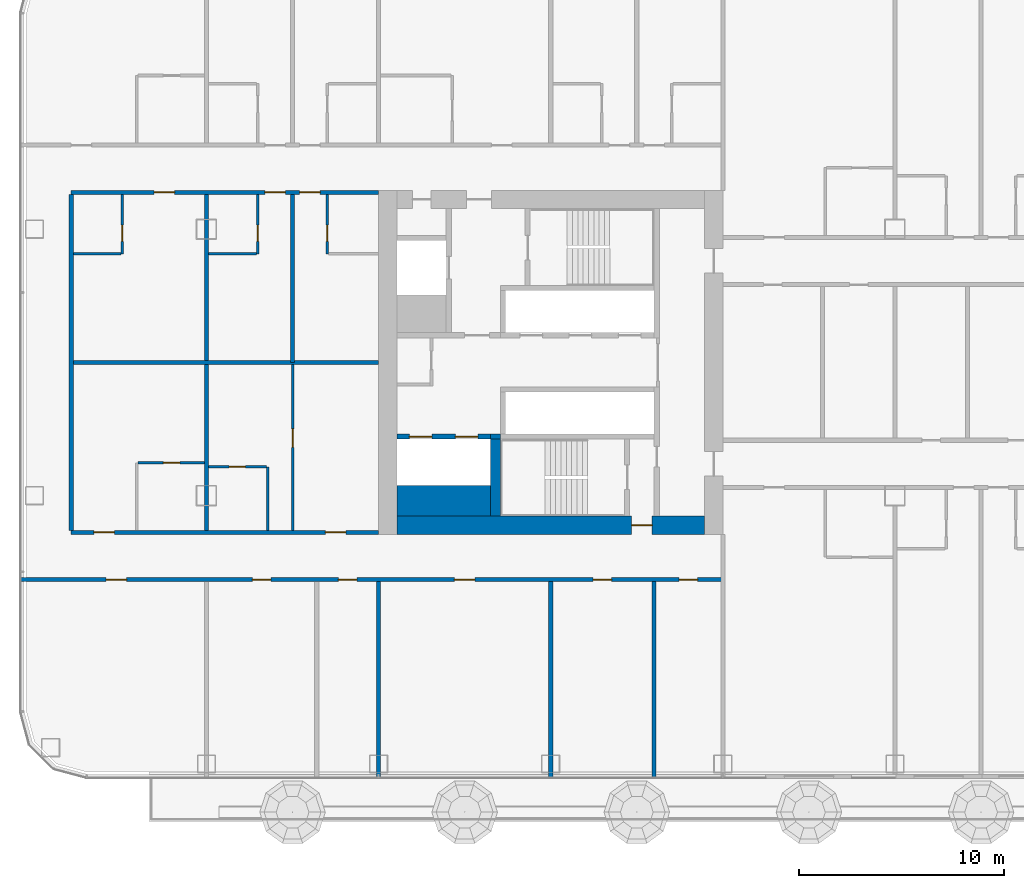
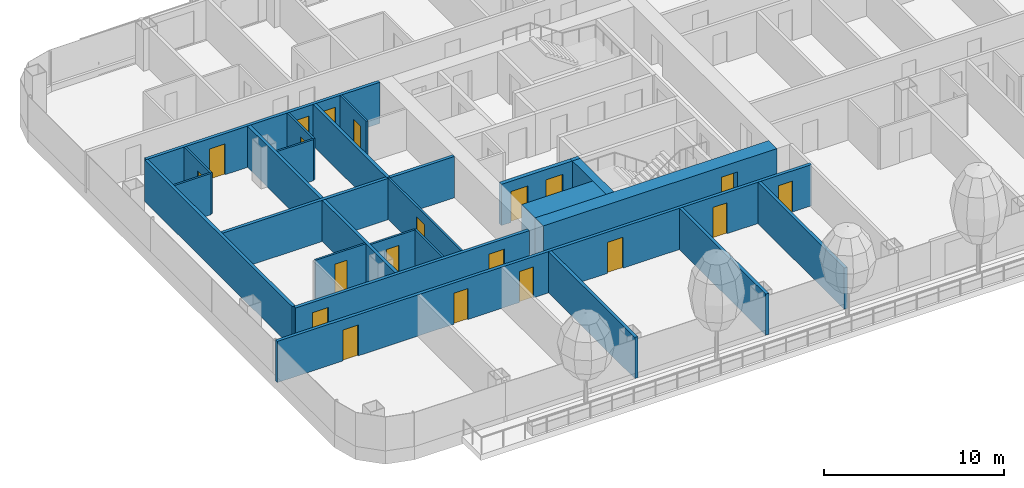
# One storey, part 12 of 36: 24 walls, 20 doors, 20 openings.
"""IFC4 building model written with IfcOpenShell, lengths in metres."""

import ifcopenshell
import ifcopenshell.guid

model = None  # the IFC model being written
_history = None  # IfcOwnerHistory: only IFC2X3 demands one
_inside = {}  # id of a spatial element -> (the spatial element, [elements in it])
_under = {}  # id of a project, library or spatial element -> (it, [spatial elements below it])
_declared = {}  # id of a project -> (the project, [libraries it declares])
_typed = {}  # id of a type object -> (the type object, [elements of that type])
_made_of = {}  # id of a material, layer set ... -> (it, [elements and type objects made of it])


def new_model(schema):
    """Start an empty IFC model of exactly this schema.

    Asked for "IFC4X3", IfcOpenShell would pick the latest addendum, in which some entities
    have other attributes; the version numbers below select the first issue.
    IFC2X3 requires an IfcOwnerHistory on every rooted entity: one is made here for all.
    """
    global model, _history
    if schema == "IFC4X3":
        model = ifcopenshell.file(schema_version=(4, 3, 0, 0))
    else:
        model = ifcopenshell.file(schema=schema)
    _inside.clear()
    _under.clear()
    _declared.clear()
    _typed.clear()
    _made_of.clear()
    _history = None
    if model.schema == "IFC2X3":
        org = make("IfcOrganization", Name="unknown")
        user = make(
            "IfcPersonAndOrganization",
            ThePerson=make("IfcPerson", FamilyName="unknown"),
            TheOrganization=org,
        )
        app = make(
            "IfcApplication",
            ApplicationDeveloper=org,
            Version="unknown",
            ApplicationFullName="unknown",
            ApplicationIdentifier="unknown",
        )
        _history = make(
            "IfcOwnerHistory",
            OwningUser=user,
            OwningApplication=app,
            ChangeAction="ADDED",
            CreationDate=0,
        )
    return model


def make(cls, **values):
    """One entity of the class cls with the attributes given. An attribute that is None is left unset."""
    return model.create_entity(
        cls, **{name: value for name, value in values.items() if value is not None}
    )


def rooted(cls, **values):
    """An entity with a GlobalId (a new one), such as an element, a storey or a relation."""
    return make(cls, GlobalId=ifcopenshell.guid.new(), OwnerHistory=_history, **values)


def si_unit(unit_type, name, prefix=None):
    """IfcSIUnit, for example si_unit("LENGTHUNIT", "METRE", prefix="MILLI")."""
    return make("IfcSIUnit", UnitType=unit_type, Prefix=prefix, Name=name)


def assignment(units):
    """IfcUnitAssignment: the units of a project."""
    return None if units is None else make("IfcUnitAssignment", Units=units)


def point(xyz):
    """IfcCartesianPoint."""
    return None if xyz is None else make("IfcCartesianPoint", Coordinates=xyz)


def direction(xyz):
    """IfcDirection."""
    return None if xyz is None else make("IfcDirection", DirectionRatios=xyz)


def frame(location, z_axis=None, x_axis=None):
    """IfcAxis2Placement3D, a coordinate frame: its origin and axes. An axis left out is left unset."""
    return make(
        "IfcAxis2Placement3D",
        Location=point(location),
        Axis=direction(z_axis),
        RefDirection=direction(x_axis),
    )


def frame_2d(location, x_axis=None):
    """IfcAxis2Placement2D, a coordinate frame in the plane: its origin and x axis."""
    return make(
        "IfcAxis2Placement2D", Location=point(location), RefDirection=direction(x_axis)
    )


def origin():
    """The frame at (0, 0, 0) with its axes left unset."""
    return frame((0.0, 0.0, 0.0))


def place(relative_to, where):
    """IfcLocalPlacement: puts the frame where relative to a parent placement (None: the world)."""
    return make(
        "IfcLocalPlacement", PlacementRelTo=relative_to, RelativePlacement=where
    )


def context(
    kind, dimensions, precision=None, world=None, true_north=None, identifier=None
):
    """IfcGeometricRepresentationContext, for example the 3D "Model" context."""
    return make(
        "IfcGeometricRepresentationContext",
        ContextIdentifier=identifier,
        ContextType=kind,
        CoordinateSpaceDimension=dimensions,
        Precision=precision,
        WorldCoordinateSystem=world,
        TrueNorth=true_north,
    )


def subcontext(parent, identifier, kind, view, scale=None):
    """IfcGeometricRepresentationSubContext, for example "Body" below "Model"."""
    return make(
        "IfcGeometricRepresentationSubContext",
        ContextIdentifier=identifier,
        ContextType=kind,
        ParentContext=parent,
        TargetScale=scale,
        TargetView=view,
    )


def project(units=None, contexts=None):
    """IfcProject with its units and contexts."""
    return rooted(
        "IfcProject",
        Name="project",
        RepresentationContexts=contexts,
        UnitsInContext=assignment(units),
    )


def spatial(cls, under=None, at=None, **own):
    """A site, building, storey or space (cls), placed at a placement, below another one or the project."""
    s = rooted(cls, ObjectPlacement=at, **own)
    if under is not None:
        _under.setdefault(under.id(), (under, []))[1].append(s)
    return s


def profile(cls, at=None, kind="AREA", **sizes):
    """A parametric profile (cls). Its sizes go by their IFC names, for example OverallWidth=200.0."""
    return make(cls, ProfileType=kind, Position=at, **sizes)


def rectangle(**sizes):
    """IfcRectangleProfileDef."""
    return profile("IfcRectangleProfileDef", **sizes)


def extrude(swept, where, along, depth):
    """IfcExtrudedAreaSolid: the profile swept, set in the frame where, extruded along a direction by depth."""
    return make(
        "IfcExtrudedAreaSolid",
        SweptArea=swept,
        Position=where,
        ExtrudedDirection=direction(along),
        Depth=depth,
    )


def shape(context_of_items, identifier, shape_type, items):
    """IfcShapeRepresentation: the items that make up one representation, for example the "Body"."""
    return make(
        "IfcShapeRepresentation",
        ContextOfItems=context_of_items,
        RepresentationIdentifier=identifier,
        RepresentationType=shape_type,
        Items=items,
    )


def material(Name=None, Category=None):
    """IfcMaterial."""
    return make("IfcMaterial", Name=Name, Category=Category)


def layer(
    of_material, thickness, ventilated=None, Name=None, Category=None, Priority=None
):
    """IfcMaterialLayer: one layer of a wall or slab, of a material (None: an air gap)."""
    return make(
        "IfcMaterialLayer",
        Material=of_material,
        LayerThickness=thickness,
        IsVentilated=ventilated,
        Name=Name,
        Category=Category,
        Priority=Priority,
    )


def layer_set(layers, Name=None):
    """IfcMaterialLayerSet."""
    return make("IfcMaterialLayerSet", MaterialLayers=layers, LayerSetName=Name)


def made_of(thing, what):
    """Note that an element or type object is made of a material, layer set ...; save() writes the relation."""
    if what is not None:
        _made_of.setdefault(what.id(), (what, []))[1].append(thing)
    return thing


def type_object(cls, material=None, **own):
    """A type object (cls), such as IfcWallType, which elements share."""
    return made_of(rooted(cls, **own), material)


def element(
    cls,
    number,
    at=None,
    inside=None,
    cuts=None,
    type_object=None,
    material=None,
    context=None,
    identifier="Body",
    shape_type=None,
    held_by="IfcProductDefinitionShape",
    body=None,
    shapes=None,
    **own,
):
    """One element of the class cls, such as IfcWall. Its Tag is "e" and its number.

    at: its placement. inside: the storey or other place that contains it. cuts: it is an
    opening in that element (IfcRelVoidsElement). A single representation is given by context,
    identifier, shape_type and body (its items); several are given by shapes. held_by: the class
    of the entity that holds the representations. save() writes the other relations.
    """
    e = rooted(cls, Tag="e%d" % number, ObjectPlacement=at, **own)
    if body is not None:
        shapes = [shape(context, identifier, shape_type, body)]
    if shapes is not None:
        e.Representation = make(held_by, Representations=shapes)
    if inside is not None:
        _inside.setdefault(inside.id(), (inside, []))[1].append(e)
    if cuts is not None:
        rooted(
            "IfcRelVoidsElement", RelatingBuildingElement=cuts, RelatedOpeningElement=e
        )
    if type_object is not None:
        _typed.setdefault(type_object.id(), (type_object, []))[1].append(e)
    return made_of(e, material)


def fill(opening, filler):
    """IfcRelFillsElement: the door or window that sits in an opening."""
    return rooted(
        "IfcRelFillsElement",
        RelatingOpeningElement=opening,
        RelatedBuildingElement=filler,
    )


def aggregate(whole, parts):
    """IfcRelAggregates: a whole, such as a stair, and the parts it consists of."""
    return rooted("IfcRelAggregates", RelatingObject=whole, RelatedObjects=parts)


def save(model, path):
    """Write the relations noted so far, then the file.

    IfcRelAggregates (storeys below a building ...), IfcRelContainedInSpatialStructure (elements
    in a storey), IfcRelDefinesByType, IfcRelAssociatesMaterial and IfcRelDeclares: one each for
    every whole, place, type object, material and project.
    """
    for whole, parts in _under.values():
        aggregate(whole, parts)
    for where, things in _inside.values():
        rooted(
            "IfcRelContainedInSpatialStructure",
            RelatedElements=things,
            RelatingStructure=where,
        )
    for kind, things in _typed.values():
        rooted("IfcRelDefinesByType", RelatedObjects=things, RelatingType=kind)
    for what, things in _made_of.values():
        rooted("IfcRelAssociatesMaterial", RelatedObjects=things, RelatingMaterial=what)
    for by, libraries in _declared.values():
        rooted("IfcRelDeclares", RelatingContext=by, RelatedDefinitions=libraries)
    model.write(path)


model = new_model("IFC4")

# Units and contexts
model_context = context("Model", 3, precision=1e-05, world=origin(), true_north=direction((0.0, 1.0)))
body_context = subcontext(model_context, "Body", "Model", "MODEL_VIEW")
ifc_project = project(units=[si_unit("LENGTHUNIT", "METRE"), si_unit("AREAUNIT", "SQUARE_METRE"), si_unit("VOLUMEUNIT", "CUBIC_METRE"), si_unit("PLANEANGLEUNIT", "RADIAN"), si_unit("MASSUNIT", "GRAM", prefix="KILO")], contexts=[model_context])

# Site, building, storey
site_placement = place(None, origin())
site = spatial("IfcSite", under=ifc_project, at=site_placement, CompositionType="ELEMENT")
building_placement = place(site_placement, origin())
building = spatial("IfcBuilding", under=site, at=building_placement, Name="Hakoniwa Tower and Hamabe Station Hall", CompositionType="ELEMENT")
storey_placement = place(building_placement, frame((0.0, 0.0, 26.199951171875)))
storey = spatial("IfcBuildingStorey", under=building, at=storey_placement, Name="L06", CompositionType="ELEMENT", Elevation=26.199951171875)

# Wall, opening, door
ifc_material_1 = material(Name="Gypsum board partition", Category="gypsum")
ifc_layer_1 = layer(ifc_material_1, 0.125)
ifc_layer_set_1 = layer_set([ifc_layer_1], Name="Bathroom Partition 125")
wall_type_1 = type_object("IfcWallType", Name="Bathroom Partition 125", PredefinedType="PARTITIONING", material=ifc_layer_set_1)
wall_1_placement = place(storey_placement, frame((-41.89990234375, -5.10009765625, 0.0), z_axis=(0.0, 0.0, 1.0), x_axis=(1.0, 0.0, 0.0)))
wall_1 = element("IfcWall", 1, at=wall_1_placement, inside=storey, type_object=wall_type_1, Name="GW-L06-019", PredefinedType="PARTITIONING", context=body_context, shape_type="SweptSolid", body=[
    extrude(rectangle(XDim=2.83740234375, YDim=0.125, at=frame_2d((1.418701171875, 0.0))), origin(), (0.0, 0.0, 1.0), 2.800048828125),
])
opening_1_placement = place(wall_1_placement, frame((1.0, 0.0, 0.0)))
opening_1 = element("IfcOpeningElement", 2, at=opening_1_placement, cuts=wall_1, Name="Opening GD-G1C0-27", PredefinedType="OPENING", context=body_context, shape_type="SweptSolid", body=[
    extrude(rectangle(XDim=0.800048828125, YDim=2.10009765625, at=frame_2d((0.39990234375, 1.050048828125))), frame((0.0, 0.072509765625, 0.0), z_axis=(0.0, -1.0, 0.0), x_axis=(1.0, 0.0, 0.0)), (0.0, 0.0, 1.0), 0.14501953125),
])
ifc_material_2 = material(Name="Timber door leaf", Category="wood")
door_type_1 = type_object("IfcDoorType", Name="Bathroom Door 800", OperationType="SINGLE_SWING_LEFT", PredefinedType="DOOR", material=ifc_material_2)
door_1_placement = place(opening_1_placement, origin())
door_1 = element("IfcDoor", 3, at=door_1_placement, inside=storey, type_object=door_type_1, Name="Door GD-G1C0-27", OperationType="SINGLE_SWING_LEFT", OverallHeight=2.10009765625, OverallWidth=0.800048828125, PredefinedType="DOOR", context=body_context, shape_type="SweptSolid", body=[
    extrude(rectangle(XDim=0.800048828125, YDim=2.10009765625, at=frame_2d((0.39990234375, 1.050048828125))), frame((0.0, 0.02490234375, 0.0), z_axis=(0.0, -1.0, 0.0), x_axis=(1.0, 0.0, 0.0)), (0.0, 0.0, 1.0), 0.050048828125),
])
fill(opening_1, door_1)

wall_2_placement = place(storey_placement, frame((-45.33740234375, -4.89990234375, 0.0), z_axis=(0.0, 0.0, 1.0), x_axis=(1.0, 0.0, 0.0)))
wall_2 = element("IfcWall", 4, at=wall_2_placement, inside=storey, type_object=wall_type_1, Name="GW-L06-021", PredefinedType="PARTITIONING", context=body_context, shape_type="SweptSolid", body=[
    extrude(rectangle(XDim=3.2373046875, YDim=0.125, at=frame_2d((1.61865234375, 0.0))), origin(), (0.0, 0.0, 1.0), 2.800048828125),
])
opening_2_placement = place(wall_2_placement, frame((1.237548828125, 0.0, 0.0)))
opening_2 = element("IfcOpeningElement", 5, at=opening_2_placement, cuts=wall_2, Name="Opening GD-G1C0-29", PredefinedType="OPENING", context=body_context, shape_type="SweptSolid", body=[
    extrude(rectangle(XDim=0.800048828125, YDim=2.10009765625, at=frame_2d((0.39990234375, 1.050048828125))), frame((0.0, 0.072509765625, 0.0), z_axis=(0.0, -1.0, 0.0), x_axis=(1.0, 0.0, 0.0)), (0.0, 0.0, 1.0), 0.14501953125),
])
door_2_placement = place(opening_2_placement, origin())
door_2 = element("IfcDoor", 6, at=door_2_placement, inside=storey, type_object=door_type_1, Name="Door GD-G1C0-29", OperationType="SINGLE_SWING_LEFT", OverallHeight=2.10009765625, OverallWidth=0.800048828125, PredefinedType="DOOR", context=body_context, shape_type="SweptSolid", body=[
    extrude(rectangle(XDim=0.800048828125, YDim=2.10009765625, at=frame_2d((0.39990234375, 1.050048828125))), frame((0.0, 0.02490234375, 0.0), z_axis=(0.0, -1.0, 0.0), x_axis=(1.0, 0.0, 0.0)), (0.0, 0.0, 1.0), 0.050048828125),
])
fill(opening_2, door_2)

# Walls
for number, where, z_axis, x_axis, name in (
    (7, (-48.5, 5.300048828125, 0.0), (0.0, 0.0, 1.0), (1.0, 0.0, 0.0), "GW-L06-028"),
    (8, (-41.89990234375, 5.300048828125, 0.0), (0.0, 0.0, 1.0), (1.0, 0.0, 0.0), "GW-L06-029"),
):
    element("IfcWall", number, at=place(storey_placement, frame(where, z_axis=z_axis, x_axis=x_axis)), inside=storey, type_object=wall_type_1, Name=name, PredefinedType="PARTITIONING", context=body_context, shape_type="SweptSolid", body=[
        extrude(rectangle(XDim=2.33740234375, YDim=0.125, at=frame_2d((1.168701171875, 0.0))), origin(), (0.0, 0.0, 1.0), 2.800048828125),
    ])

# Wall, opening, door
wall_3_placement = place(storey_placement, frame((-46.10009765625, 5.300048828125, 0.0), z_axis=(0.0, 0.0, 1.0), x_axis=(0.0, 1.0, 0.0)))
wall_3 = element("IfcWall", 9, at=wall_3_placement, inside=storey, type_object=wall_type_1, Name="GW-L06-054", PredefinedType="PARTITIONING", context=body_context, shape_type="SweptSolid", body=[
    extrude(rectangle(XDim=2.89990234375, YDim=0.125, at=frame_2d((1.449951171875, 0.0))), origin(), (0.0, 0.0, 1.0), 2.800048828125),
])
opening_3_placement = place(wall_3_placement, frame((0.60009765625, 0.0, 0.0)))
opening_3 = element("IfcOpeningElement", 10, at=opening_3_placement, cuts=wall_3, Name="Opening GD-G1C0-68", PredefinedType="OPENING", context=body_context, shape_type="SweptSolid", body=[
    extrude(rectangle(XDim=0.800048828125, YDim=2.10009765625, at=frame_2d((0.39990234375, 1.050048828125))), frame((0.0, 0.072509765625, 0.0), z_axis=(0.0, -1.0, 0.0), x_axis=(1.0, 0.0, 0.0)), (0.0, 0.0, 1.0), 0.14501953125),
])
door_3_placement = place(opening_3_placement, origin())
door_3 = element("IfcDoor", 11, at=door_3_placement, inside=storey, type_object=door_type_1, Name="Door GD-G1C0-68", OperationType="SINGLE_SWING_RIGHT", OverallHeight=2.10009765625, OverallWidth=0.800048828125, PredefinedType="DOOR", context=body_context, shape_type="SweptSolid", body=[
    extrude(rectangle(XDim=0.800048828125, YDim=2.10009765625, at=frame_2d((0.39990234375, 1.050048828125))), frame((0.0, 0.02490234375, 0.0), z_axis=(0.0, -1.0, 0.0), x_axis=(1.0, 0.0, 0.0)), (0.0, 0.0, 1.0), 0.050048828125),
])
fill(opening_3, door_3)

wall_4_placement = place(storey_placement, frame((-39.5, 5.300048828125, 0.0), z_axis=(0.0, 0.0, 1.0), x_axis=(0.0, 1.0, 0.0)))
wall_4 = element("IfcWall", 12, at=wall_4_placement, inside=storey, type_object=wall_type_1, Name="GW-L06-060", PredefinedType="PARTITIONING", context=body_context, shape_type="SweptSolid", body=[
    extrude(rectangle(XDim=2.89990234375, YDim=0.125, at=frame_2d((1.449951171875, 0.0))), origin(), (0.0, 0.0, 1.0), 2.800048828125),
])
opening_4_placement = place(wall_4_placement, frame((0.60009765625, 0.0, 0.0)))
opening_4 = element("IfcOpeningElement", 13, at=opening_4_placement, cuts=wall_4, Name="Opening GD-G1C0-69", PredefinedType="OPENING", context=body_context, shape_type="SweptSolid", body=[
    extrude(rectangle(XDim=0.800048828125, YDim=2.10009765625, at=frame_2d((0.39990234375, 1.050048828125))), frame((0.0, 0.072509765625, 0.0), z_axis=(0.0, -1.0, 0.0), x_axis=(1.0, 0.0, 0.0)), (0.0, 0.0, 1.0), 0.14501953125),
])
door_4_placement = place(opening_4_placement, origin())
door_4 = element("IfcDoor", 14, at=door_4_placement, inside=storey, type_object=door_type_1, Name="Door GD-G1C0-69", OperationType="SINGLE_SWING_RIGHT", OverallHeight=2.10009765625, OverallWidth=0.800048828125, PredefinedType="DOOR", context=body_context, shape_type="SweptSolid", body=[
    extrude(rectangle(XDim=0.800048828125, YDim=2.10009765625, at=frame_2d((0.39990234375, 1.050048828125))), frame((0.0, 0.02490234375, 0.0), z_axis=(0.0, -1.0, 0.0), x_axis=(1.0, 0.0, 0.0)), (0.0, 0.0, 1.0), 0.050048828125),
])
fill(opening_4, door_4)

# Wall
wall_5_placement = place(storey_placement, frame((-39.0, -8.199951171875, 0.0), z_axis=(0.0, 0.0, 1.0), x_axis=(0.0, 1.0, 0.0)))
element("IfcWall", 15, at=wall_5_placement, inside=storey, type_object=wall_type_1, Name="GW-L06-062", PredefinedType="PARTITIONING", context=body_context, shape_type="SweptSolid", body=[
    extrude(rectangle(XDim=3.099853515625, YDim=0.125, at=frame_2d((1.5498046875, 0.0))), origin(), (0.0, 0.0, 1.0), 2.800048828125),
])

# Wall, opening, door
wall_6_placement = place(storey_placement, frame((-36.10009765625, 5.300048828125, 0.0), z_axis=(0.0, 0.0, 1.0), x_axis=(0.0, 1.0, 0.0)))
wall_6 = element("IfcWall", 16, at=wall_6_placement, inside=storey, type_object=wall_type_1, Name="GW-L06-067", PredefinedType="PARTITIONING", context=body_context, shape_type="SweptSolid", body=[
    extrude(rectangle(XDim=2.89990234375, YDim=0.125, at=frame_2d((1.449951171875, 0.0))), origin(), (0.0, 0.0, 1.0), 2.800048828125),
])
opening_5_placement = place(wall_6_placement, frame((0.60009765625, 0.0, 0.0)))
opening_5 = element("IfcOpeningElement", 17, at=opening_5_placement, cuts=wall_6, Name="Opening GD-G1C0-72", PredefinedType="OPENING", context=body_context, shape_type="SweptSolid", body=[
    extrude(rectangle(XDim=0.800048828125, YDim=2.10009765625, at=frame_2d((0.39990234375, 1.050048828125))), frame((0.0, 0.072509765625, 0.0), z_axis=(0.0, -1.0, 0.0), x_axis=(1.0, 0.0, 0.0)), (0.0, 0.0, 1.0), 0.14501953125),
])
door_5_placement = place(opening_5_placement, origin())
door_5 = element("IfcDoor", 18, at=door_5_placement, inside=storey, type_object=door_type_1, Name="Door GD-G1C0-72", OperationType="SINGLE_SWING_LEFT", OverallHeight=2.10009765625, OverallWidth=0.800048828125, PredefinedType="DOOR", context=body_context, shape_type="SweptSolid", body=[
    extrude(rectangle(XDim=0.800048828125, YDim=2.10009765625, at=frame_2d((0.39990234375, 1.050048828125))), frame((0.0, 0.02490234375, 0.0), z_axis=(0.0, -1.0, 0.0), x_axis=(1.0, 0.0, 0.0)), (0.0, 0.0, 1.0), 0.050048828125),
])
fill(opening_5, door_5)

ifc_material_3 = material(Name="Concrete C80", Category="concrete")
ifc_layer_2 = layer(ifc_material_3, 0.89990234375)
ifc_layer_set_2 = layer_set([ifc_layer_2], Name="CORE WALL 900 C80")
wall_type_2 = type_object("IfcWallType", Name="CORE WALL 900 C80", PredefinedType="SHEAR", material=ifc_layer_set_2)
wall_7_placement = place(storey_placement, frame((-32.699951171875, -7.949951171875, 0.0), z_axis=(0.0, 0.0, 1.0), x_axis=(1.0, 0.0, 0.0)))
wall_7 = element("IfcWall", 19, at=wall_7_placement, inside=storey, type_object=wall_type_2, Name="Core wall SOUTH west", PredefinedType="SHEAR", context=body_context, shape_type="SweptSolid", body=[
    extrude(rectangle(XDim=15.0, YDim=0.89990234375, at=frame_2d((7.5, 0.0))), origin(), (0.0, 0.0, 1.0), 2.800048828125),
])
opening_6_placement = place(wall_7_placement, frame((11.449951171875, 0.0, 0.0)))
opening_6 = element("IfcOpeningElement", 20, at=opening_6_placement, cuts=wall_7, Name="Opening CD-W-FS3-10", PredefinedType="OPENING", context=body_context, shape_type="SweptSolid", body=[
    extrude(rectangle(XDim=1.0, YDim=2.10009765625, at=frame_2d((0.5, 1.050048828125))), frame((0.0, 0.4599609375, 0.0), z_axis=(0.0, -1.0, 0.0), x_axis=(1.0, 0.0, 0.0)), (0.0, 0.0, 1.0), 0.919921875),
])
ifc_material_4 = material(Name="Steel fire door", Category="steel")
door_type_2 = type_object("IfcDoorType", Name="CORE DOOR 1000 FD60", OperationType="NOTDEFINED", PredefinedType="DOOR", material=ifc_material_4)
door_6_placement = place(opening_6_placement, origin())
door_6 = element("IfcDoor", 21, at=door_6_placement, inside=storey, type_object=door_type_2, Name="Stair vestibule door", OperationType="SINGLE_SWING_RIGHT", OverallHeight=2.10009765625, OverallWidth=1.0, PredefinedType="DOOR", context=body_context, shape_type="SweptSolid", body=[
    extrude(rectangle(XDim=1.0, YDim=2.10009765625, at=frame_2d((0.5, 1.050048828125))), frame((0.0, 0.02490234375, 0.0), z_axis=(0.0, -1.0, 0.0), x_axis=(1.0, 0.0, 0.0)), (0.0, 0.0, 1.0), 0.050048828125),
])
fill(opening_6, door_6)

# Wall
ifc_material_5 = material(Name="Concrete C80", Category="concrete")
ifc_layer_3 = layer(ifc_material_5, 1.5)
ifc_layer_set_3 = layer_set([ifc_layer_3], Name="CORE WEB WALL 1500 C80")
wall_type_3 = type_object("IfcWallType", Name="CORE WEB WALL 1500 C80", PredefinedType="SHEAR", material=ifc_layer_set_3)
wall_8_placement = place(storey_placement, frame((-32.699951171875, -6.75, 0.0), z_axis=(0.0, 0.0, 1.0), x_axis=(1.0, 0.0, 0.0)))
element("IfcWall", 22, at=wall_8_placement, inside=storey, type_object=wall_type_3, Name="Core wall SER west", PredefinedType="SHEAR", context=body_context, shape_type="SweptSolid", body=[
    extrude(rectangle(XDim=4.550048828125, YDim=1.5, at=frame_2d((2.27490234375, 0.0))), origin(), (0.0, 0.0, 1.0), 2.800048828125),
])

# Wall, openings, doors
ifc_material_6 = material(Name="Concrete C80", Category="concrete")
ifc_layer_4 = layer(ifc_material_6, 0.25)
ifc_layer_set_4 = layer_set([ifc_layer_4], Name="CORE WEB WALL 250 C80")
wall_type_4 = type_object("IfcWallType", Name="CORE WEB WALL 250 C80", PredefinedType="SHEAR", material=ifc_layer_set_4)
wall_9_placement = place(storey_placement, frame((-32.699951171875, -3.625, 0.0), z_axis=(0.0, 0.0, 1.0), x_axis=(1.0, 0.0, 0.0)))
wall_9 = element("IfcWall", 23, at=wall_9_placement, inside=storey, type_object=wall_type_4, Name="Core wall SEF west", PredefinedType="SHEAR", context=body_context, shape_type="SweptSolid", body=[
    extrude(rectangle(XDim=4.550048828125, YDim=0.25, at=frame_2d((2.27490234375, 0.0))), origin(), (0.0, 0.0, 1.0), 2.800048828125),
])
opening_7_placement = place(wall_9_placement, frame((2.85009765625, 0.0, 0.0)))
opening_7 = element("IfcOpeningElement", 24, at=opening_7_placement, cuts=wall_9, Name="Opening LD-SV1", PredefinedType="OPENING", context=body_context, shape_type="SweptSolid", body=[
    extrude(rectangle(XDim=1.10009765625, YDim=2.10009765625, at=frame_2d((0.550048828125, 1.050048828125))), frame((0.0, 0.135009765625, 0.0), z_axis=(0.0, -1.0, 0.0), x_axis=(1.0, 0.0, 0.0)), (0.0, 0.0, 1.0), 0.27001953125),
])
opening_8_placement = place(wall_9_placement, frame((0.60009765625, 0.0, 0.0)))
opening_8 = element("IfcOpeningElement", 25, at=opening_8_placement, cuts=wall_9, Name="Opening LD-SV2", PredefinedType="OPENING", context=body_context, shape_type="SweptSolid", body=[
    extrude(rectangle(XDim=1.10009765625, YDim=2.10009765625, at=frame_2d((0.550048828125, 1.050048828125))), frame((0.0, 0.135009765625, 0.0), z_axis=(0.0, -1.0, 0.0), x_axis=(1.0, 0.0, 0.0)), (0.0, 0.0, 1.0), 0.27001953125),
])
ifc_material_7 = material(Name="Stainless steel SUS304", Category="steel")
door_type_3 = type_object("IfcDoorType", Name="LIFT LANDING DOOR 1100 FD60", OperationType="DOUBLE_DOOR_SLIDING", PredefinedType="DOOR", material=ifc_material_7)
door_7_placement = place(opening_7_placement, origin())
door_7 = element("IfcDoor", 26, at=door_7_placement, inside=storey, type_object=door_type_3, Name="Lift landing door SV1 L06", OperationType="DOUBLE_DOOR_SLIDING", OverallHeight=2.10009765625, OverallWidth=1.10009765625, PredefinedType="DOOR", context=body_context, shape_type="SweptSolid", body=[
    extrude(rectangle(XDim=1.10009765625, YDim=2.10009765625, at=frame_2d((0.550048828125, 1.050048828125))), frame((0.0, 0.02490234375, 0.0), z_axis=(0.0, -1.0, 0.0), x_axis=(1.0, 0.0, 0.0)), (0.0, 0.0, 1.0), 0.050048828125),
])
fill(opening_7, door_7)
door_8_placement = place(opening_8_placement, origin())
door_8 = element("IfcDoor", 27, at=door_8_placement, inside=storey, type_object=door_type_3, Name="Lift landing door SV2 L06", OperationType="DOUBLE_DOOR_SLIDING", OverallHeight=2.10009765625, OverallWidth=1.10009765625, PredefinedType="DOOR", context=body_context, shape_type="SweptSolid", body=[
    extrude(rectangle(XDim=1.10009765625, YDim=2.10009765625, at=frame_2d((0.550048828125, 1.050048828125))), frame((0.0, 0.02490234375, 0.0), z_axis=(0.0, -1.0, 0.0), x_axis=(1.0, 0.0, 0.0)), (0.0, 0.0, 1.0), 0.050048828125),
])
fill(opening_8, door_8)

# Walls
wall_10_placement = place(storey_placement, frame((-28.14990234375, -3.625, 0.0), z_axis=(0.0, 0.0, 1.0), x_axis=(1.0, 0.0, 0.0)))
element("IfcWall", 28, at=wall_10_placement, inside=storey, type_object=wall_type_4, Name="Core wall SRK west", PredefinedType="SHEAR", context=body_context, shape_type="SweptSolid", body=[
    extrude(rectangle(XDim=0.5, YDim=0.25, at=frame_2d((0.25, 0.0))), origin(), (0.0, 0.0, 1.0), 2.800048828125),
])
ifc_material_8 = material(Name="Concrete C80", Category="concrete")
ifc_layer_5 = layer(ifc_material_8, 0.5)
ifc_layer_set_5 = layer_set([ifc_layer_5], Name="CORE WEB WALL 500 C80")
wall_type_5 = type_object("IfcWallType", Name="CORE WEB WALL 500 C80", PredefinedType="SHEAR", material=ifc_layer_set_5)
wall_11_placement = place(storey_placement, frame((-27.89990234375, -7.5, 0.0), z_axis=(0.0, 0.0, 1.0), x_axis=(0.0, 1.0, 0.0)))
element("IfcWall", 29, at=wall_11_placement, inside=storey, type_object=wall_type_5, Name="Core wall SSE west", PredefinedType="SHEAR", context=body_context, shape_type="SweptSolid", body=[
    extrude(rectangle(XDim=3.75, YDim=0.5, at=frame_2d((1.875, 0.0))), origin(), (0.0, 0.0, 1.0), 2.800048828125),
])

# Wall, openings, doors
ifc_material_9 = material(Name="Fire-rated gypsum board partition", Category="gypsum")
ifc_layer_6 = layer(ifc_material_9, 0.199951171875)
ifc_layer_set_6 = layer_set([ifc_layer_6], Name="Corridor Wall 200")
wall_type_6 = type_object("IfcWallType", Name="Corridor Wall 200", PredefinedType="PARTITIONING", material=ifc_layer_set_6)
wall_12_placement = place(storey_placement, frame((-51.10009765625, -10.60009765625, 0.0), z_axis=(0.0, 0.0, 1.0), x_axis=(1.0, 0.0, 0.0)))
wall_12 = element("IfcWall", 30, at=wall_12_placement, inside=storey, type_object=wall_type_6, Name="GW-L06-007", PredefinedType="PARTITIONING", context=body_context, shape_type="SweptSolid", body=[
    extrude(rectangle(XDim=34.300048828125, YDim=0.199951171875, at=frame_2d((17.14990234375, 0.0))), origin(), (0.0, 0.0, 1.0), 2.800048828125),
])
opening_9_placement = place(wall_12_placement, frame((4.199951171875, 0.0, 0.0)))
opening_9 = element("IfcOpeningElement", 31, at=opening_9_placement, cuts=wall_12, Name="Opening GD-G1C0-02", PredefinedType="OPENING", context=body_context, shape_type="SweptSolid", body=[
    extrude(rectangle(XDim=1.0, YDim=2.10009765625, at=frame_2d((0.5, 1.050048828125))), frame((0.0, 0.10986328125, 0.0), z_axis=(0.0, -1.0, 0.0), x_axis=(1.0, 0.0, 0.0)), (0.0, 0.0, 1.0), 0.219970703125),
])
opening_10_placement = place(wall_12_placement, frame((11.340087890625, 0.0, 0.0)))
opening_10 = element("IfcOpeningElement", 32, at=opening_10_placement, cuts=wall_12, Name="Opening GD-G1C0-03", PredefinedType="OPENING", context=body_context, shape_type="SweptSolid", body=[
    extrude(rectangle(XDim=0.89990234375, YDim=2.10009765625, at=frame_2d((0.449951171875, 1.050048828125))), frame((0.0, 0.10986328125, 0.0), z_axis=(0.0, -1.0, 0.0), x_axis=(1.0, 0.0, 0.0)), (0.0, 0.0, 1.0), 0.219970703125),
])
opening_11_placement = place(wall_12_placement, frame((15.5400390625, 0.0, 0.0)))
opening_11 = element("IfcOpeningElement", 33, at=opening_11_placement, cuts=wall_12, Name="Opening GD-G1C0-04", PredefinedType="OPENING", context=body_context, shape_type="SweptSolid", body=[
    extrude(rectangle(XDim=0.89990234375, YDim=2.10009765625, at=frame_2d((0.449951171875, 1.050048828125))), frame((0.0, 0.10986328125, 0.0), z_axis=(0.0, -1.0, 0.0), x_axis=(1.0, 0.0, 0.0)), (0.0, 0.0, 1.0), 0.219970703125),
])
opening_12_placement = place(wall_12_placement, frame((21.199951171875, 0.0, 0.0)))
opening_12 = element("IfcOpeningElement", 34, at=opening_12_placement, cuts=wall_12, Name="Opening GD-G1C0-05", PredefinedType="OPENING", context=body_context, shape_type="SweptSolid", body=[
    extrude(rectangle(XDim=1.0, YDim=2.10009765625, at=frame_2d((0.5, 1.050048828125))), frame((0.0, 0.10986328125, 0.0), z_axis=(0.0, -1.0, 0.0), x_axis=(1.0, 0.0, 0.0)), (0.0, 0.0, 1.0), 0.219970703125),
])
opening_13_placement = place(wall_12_placement, frame((27.969970703125, 0.0, 0.0)))
opening_13 = element("IfcOpeningElement", 35, at=opening_13_placement, cuts=wall_12, Name="Opening GD-G1C0-06", PredefinedType="OPENING", context=body_context, shape_type="SweptSolid", body=[
    extrude(rectangle(XDim=0.89990234375, YDim=2.10009765625, at=frame_2d((0.449951171875, 1.050048828125))), frame((0.0, 0.10986328125, 0.0), z_axis=(0.0, -1.0, 0.0), x_axis=(1.0, 0.0, 0.0)), (0.0, 0.0, 1.0), 0.219970703125),
])
opening_14_placement = place(wall_12_placement, frame((32.169921875, 0.0, 0.0)))
opening_14 = element("IfcOpeningElement", 36, at=opening_14_placement, cuts=wall_12, Name="Opening GD-G1C0-07", PredefinedType="OPENING", context=body_context, shape_type="SweptSolid", body=[
    extrude(rectangle(XDim=0.89990234375, YDim=2.10009765625, at=frame_2d((0.449951171875, 1.050048828125))), frame((0.0, 0.10986328125, 0.0), z_axis=(0.0, -1.0, 0.0), x_axis=(1.0, 0.0, 0.0)), (0.0, 0.0, 1.0), 0.219970703125),
])
ifc_material_10 = material(Name="Timber door leaf", Category="wood")
door_type_4 = type_object("IfcDoorType", Name="Guest Entrance Door 1000", OperationType="SINGLE_SWING_LEFT", PredefinedType="DOOR", material=ifc_material_10)
door_9_placement = place(opening_9_placement, origin())
door_9 = element("IfcDoor", 37, at=door_9_placement, inside=storey, type_object=door_type_4, Name="Door GD-G1C0-02", OperationType="SINGLE_SWING_RIGHT", OverallHeight=2.10009765625, OverallWidth=1.0, PredefinedType="DOOR", context=body_context, shape_type="SweptSolid", body=[
    extrude(rectangle(XDim=1.0, YDim=2.10009765625, at=frame_2d((0.5, 1.050048828125))), frame((0.0, 0.02490234375, 0.0), z_axis=(0.0, -1.0, 0.0), x_axis=(1.0, 0.0, 0.0)), (0.0, 0.0, 1.0), 0.050048828125),
])
fill(opening_9, door_9)
door_10_placement = place(opening_12_placement, origin())
door_10 = element("IfcDoor", 38, at=door_10_placement, inside=storey, type_object=door_type_4, Name="Door GD-G1C0-05", OperationType="SINGLE_SWING_LEFT", OverallHeight=2.10009765625, OverallWidth=1.0, PredefinedType="DOOR", context=body_context, shape_type="SweptSolid", body=[
    extrude(rectangle(XDim=1.0, YDim=2.10009765625, at=frame_2d((0.5, 1.050048828125))), frame((0.0, 0.02490234375, 0.0), z_axis=(0.0, -1.0, 0.0), x_axis=(1.0, 0.0, 0.0)), (0.0, 0.0, 1.0), 0.050048828125),
])
fill(opening_12, door_10)
ifc_material_11 = material(Name="Timber door leaf", Category="wood")
door_type_5 = type_object("IfcDoorType", Name="Service Door 900", OperationType="SINGLE_SWING_LEFT", PredefinedType="DOOR", material=ifc_material_11)
door_11_placement = place(opening_10_placement, origin())
door_11 = element("IfcDoor", 39, at=door_11_placement, inside=storey, type_object=door_type_5, Name="Door GD-G1C0-03", OperationType="SINGLE_SWING_LEFT", OverallHeight=2.10009765625, OverallWidth=0.89990234375, PredefinedType="DOOR", context=body_context, shape_type="SweptSolid", body=[
    extrude(rectangle(XDim=0.89990234375, YDim=2.10009765625, at=frame_2d((0.449951171875, 1.050048828125))), frame((0.0, 0.02490234375, 0.0), z_axis=(0.0, -1.0, 0.0), x_axis=(1.0, 0.0, 0.0)), (0.0, 0.0, 1.0), 0.050048828125),
])
fill(opening_10, door_11)
door_12_placement = place(opening_11_placement, origin())
door_12 = element("IfcDoor", 40, at=door_12_placement, inside=storey, type_object=door_type_5, Name="Door GD-G1C0-04", OperationType="SINGLE_SWING_RIGHT", OverallHeight=2.10009765625, OverallWidth=0.89990234375, PredefinedType="DOOR", context=body_context, shape_type="SweptSolid", body=[
    extrude(rectangle(XDim=0.89990234375, YDim=2.10009765625, at=frame_2d((0.449951171875, 1.050048828125))), frame((0.0, 0.02490234375, 0.0), z_axis=(0.0, -1.0, 0.0), x_axis=(1.0, 0.0, 0.0)), (0.0, 0.0, 1.0), 0.050048828125),
])
fill(opening_11, door_12)
door_13_placement = place(opening_13_placement, origin())
door_13 = element("IfcDoor", 41, at=door_13_placement, inside=storey, type_object=door_type_5, Name="Door GD-G1C0-06", OperationType="SINGLE_SWING_RIGHT", OverallHeight=2.10009765625, OverallWidth=0.89990234375, PredefinedType="DOOR", context=body_context, shape_type="SweptSolid", body=[
    extrude(rectangle(XDim=0.89990234375, YDim=2.10009765625, at=frame_2d((0.449951171875, 1.050048828125))), frame((0.0, 0.02490234375, 0.0), z_axis=(0.0, -1.0, 0.0), x_axis=(1.0, 0.0, 0.0)), (0.0, 0.0, 1.0), 0.050048828125),
])
fill(opening_13, door_13)
door_14_placement = place(opening_14_placement, origin())
door_14 = element("IfcDoor", 42, at=door_14_placement, inside=storey, type_object=door_type_5, Name="Door GD-G1C0-07", OperationType="SINGLE_SWING_LEFT", OverallHeight=2.10009765625, OverallWidth=0.89990234375, PredefinedType="DOOR", context=body_context, shape_type="SweptSolid", body=[
    extrude(rectangle(XDim=0.89990234375, YDim=2.10009765625, at=frame_2d((0.449951171875, 1.050048828125))), frame((0.0, 0.02490234375, 0.0), z_axis=(0.0, -1.0, 0.0), x_axis=(1.0, 0.0, 0.0)), (0.0, 0.0, 1.0), 0.050048828125),
])
fill(opening_14, door_14)

wall_13_placement = place(storey_placement, frame((-48.60009765625, -8.300048828125, 0.0), z_axis=(0.0, 0.0, 1.0), x_axis=(1.0, 0.0, 0.0)))
wall_13 = element("IfcWall", 43, at=wall_13_placement, inside=storey, type_object=wall_type_6, Name="GW-L06-014", PredefinedType="PARTITIONING", context=body_context, shape_type="SweptSolid", body=[
    extrude(rectangle(XDim=15.0, YDim=0.199951171875, at=frame_2d((7.5, 0.0))), origin(), (0.0, 0.0, 1.0), 2.800048828125),
])
opening_15_placement = place(wall_13_placement, frame((1.10009765625, 0.0, 0.0)))
opening_15 = element("IfcOpeningElement", 44, at=opening_15_placement, cuts=wall_13, Name="Opening GD-G1C0-15", PredefinedType="OPENING", context=body_context, shape_type="SweptSolid", body=[
    extrude(rectangle(XDim=1.0, YDim=2.10009765625, at=frame_2d((0.5, 1.050048828125))), frame((0.0, 0.10986328125, 0.0), z_axis=(0.0, -1.0, 0.0), x_axis=(1.0, 0.0, 0.0)), (0.0, 0.0, 1.0), 0.219970703125),
])
opening_16_placement = place(wall_13_placement, frame((12.39990234375, 0.0, 0.0)))
opening_16 = element("IfcOpeningElement", 45, at=opening_16_placement, cuts=wall_13, Name="Opening GD-G1C0-16", PredefinedType="OPENING", context=body_context, shape_type="SweptSolid", body=[
    extrude(rectangle(XDim=1.0, YDim=2.10009765625, at=frame_2d((0.5, 1.050048828125))), frame((0.0, 0.10986328125, 0.0), z_axis=(0.0, -1.0, 0.0), x_axis=(1.0, 0.0, 0.0)), (0.0, 0.0, 1.0), 0.219970703125),
])
door_15_placement = place(opening_15_placement, origin())
door_15 = element("IfcDoor", 46, at=door_15_placement, inside=storey, type_object=door_type_4, Name="Door GD-G1C0-15", OperationType="SINGLE_SWING_LEFT", OverallHeight=2.10009765625, OverallWidth=1.0, PredefinedType="DOOR", context=body_context, shape_type="SweptSolid", body=[
    extrude(rectangle(XDim=1.0, YDim=2.10009765625, at=frame_2d((0.5, 1.050048828125))), frame((0.0, 0.02490234375, 0.0), z_axis=(0.0, -1.0, 0.0), x_axis=(1.0, 0.0, 0.0)), (0.0, 0.0, 1.0), 0.050048828125),
])
fill(opening_15, door_15)
door_16_placement = place(opening_16_placement, origin())
door_16 = element("IfcDoor", 47, at=door_16_placement, inside=storey, type_object=door_type_4, Name="Door GD-G1C0-16", OperationType="SINGLE_SWING_LEFT", OverallHeight=2.10009765625, OverallWidth=1.0, PredefinedType="DOOR", context=body_context, shape_type="SweptSolid", body=[
    extrude(rectangle(XDim=1.0, YDim=2.10009765625, at=frame_2d((0.5, 1.050048828125))), frame((0.0, 0.02490234375, 0.0), z_axis=(0.0, -1.0, 0.0), x_axis=(1.0, 0.0, 0.0)), (0.0, 0.0, 1.0), 0.050048828125),
])
fill(opening_16, door_16)

wall_14_placement = place(storey_placement, frame((-48.60009765625, 8.300048828125, 0.0), z_axis=(0.0, 0.0, 1.0), x_axis=(1.0, 0.0, 0.0)))
wall_14 = element("IfcWall", 48, at=wall_14_placement, inside=storey, type_object=wall_type_6, Name="GW-L06-032", PredefinedType="PARTITIONING", context=body_context, shape_type="SweptSolid", body=[
    extrude(rectangle(XDim=15.0, YDim=0.199951171875, at=frame_2d((7.5, 0.0))), origin(), (0.0, 0.0, 1.0), 2.800048828125),
])
opening_17_placement = place(wall_14_placement, frame((4.050048828125, 0.0, 0.0)))
opening_17 = element("IfcOpeningElement", 49, at=opening_17_placement, cuts=wall_14, Name="Opening GD-G1C0-47", PredefinedType="OPENING", context=body_context, shape_type="SweptSolid", body=[
    extrude(rectangle(XDim=1.0, YDim=2.10009765625, at=frame_2d((0.5, 1.050048828125))), frame((0.0, 0.10986328125, 0.0), z_axis=(0.0, -1.0, 0.0), x_axis=(1.0, 0.0, 0.0)), (0.0, 0.0, 1.0), 0.219970703125),
])
opening_18_placement = place(wall_14_placement, frame((9.449951171875, 0.0, 0.0)))
opening_18 = element("IfcOpeningElement", 50, at=opening_18_placement, cuts=wall_14, Name="Opening GD-G1C0-48", PredefinedType="OPENING", context=body_context, shape_type="SweptSolid", body=[
    extrude(rectangle(XDim=1.0, YDim=2.10009765625, at=frame_2d((0.5, 1.050048828125))), frame((0.0, 0.10986328125, 0.0), z_axis=(0.0, -1.0, 0.0), x_axis=(1.0, 0.0, 0.0)), (0.0, 0.0, 1.0), 0.219970703125),
])
opening_19_placement = place(wall_14_placement, frame((11.14990234375, 0.0, 0.0)))
opening_19 = element("IfcOpeningElement", 51, at=opening_19_placement, cuts=wall_14, Name="Opening GD-G1C0-49", PredefinedType="OPENING", context=body_context, shape_type="SweptSolid", body=[
    extrude(rectangle(XDim=1.0, YDim=2.10009765625, at=frame_2d((0.5, 1.050048828125))), frame((0.0, 0.10986328125, 0.0), z_axis=(0.0, -1.0, 0.0), x_axis=(1.0, 0.0, 0.0)), (0.0, 0.0, 1.0), 0.219970703125),
])
door_17_placement = place(opening_17_placement, origin())
door_17 = element("IfcDoor", 52, at=door_17_placement, inside=storey, type_object=door_type_4, Name="Door GD-G1C0-47", OperationType="SINGLE_SWING_LEFT", OverallHeight=2.10009765625, OverallWidth=1.0, PredefinedType="DOOR", context=body_context, shape_type="SweptSolid", body=[
    extrude(rectangle(XDim=1.0, YDim=2.10009765625, at=frame_2d((0.5, 1.050048828125))), frame((0.0, 0.02490234375, 0.0), z_axis=(0.0, -1.0, 0.0), x_axis=(1.0, 0.0, 0.0)), (0.0, 0.0, 1.0), 0.050048828125),
])
fill(opening_17, door_17)
door_18_placement = place(opening_18_placement, origin())
door_18 = element("IfcDoor", 53, at=door_18_placement, inside=storey, type_object=door_type_4, Name="Door GD-G1C0-48", OperationType="SINGLE_SWING_RIGHT", OverallHeight=2.10009765625, OverallWidth=1.0, PredefinedType="DOOR", context=body_context, shape_type="SweptSolid", body=[
    extrude(rectangle(XDim=1.0, YDim=2.10009765625, at=frame_2d((0.5, 1.050048828125))), frame((0.0, 0.02490234375, 0.0), z_axis=(0.0, -1.0, 0.0), x_axis=(1.0, 0.0, 0.0)), (0.0, 0.0, 1.0), 0.050048828125),
])
fill(opening_18, door_18)
door_19_placement = place(opening_19_placement, origin())
door_19 = element("IfcDoor", 54, at=door_19_placement, inside=storey, type_object=door_type_4, Name="Door GD-G1C0-49", OperationType="SINGLE_SWING_LEFT", OverallHeight=2.10009765625, OverallWidth=1.0, PredefinedType="DOOR", context=body_context, shape_type="SweptSolid", body=[
    extrude(rectangle(XDim=1.0, YDim=2.10009765625, at=frame_2d((0.5, 1.050048828125))), frame((0.0, 0.02490234375, 0.0), z_axis=(0.0, -1.0, 0.0), x_axis=(1.0, 0.0, 0.0)), (0.0, 0.0, 1.0), 0.050048828125),
])
fill(opening_19, door_19)

# Walls
ifc_material_12 = material(Name="Fire-rated gypsum board partition", Category="gypsum")
ifc_layer_7 = layer(ifc_material_12, 0.199951171875)
ifc_layer_set_7 = layer_set([ifc_layer_7], Name="Party Wall 200")
wall_type_7 = type_object("IfcWallType", Name="Party Wall 200", PredefinedType="PARTITIONING", material=ifc_layer_set_7)
wall_15_placement = place(storey_placement, frame((-48.5, 0.0, 0.0), z_axis=(0.0, 0.0, 1.0), x_axis=(1.0, 0.0, 0.0)))
element("IfcWall", 55, at=wall_15_placement, inside=storey, type_object=wall_type_7, Name="GW-L06-023", PredefinedType="PARTITIONING", context=body_context, shape_type="SweptSolid", body=[
    extrude(rectangle(XDim=14.89990234375, YDim=0.199951171875, at=frame_2d((7.449951171875, 0.0))), origin(), (0.0, 0.0, 1.0), 2.800048828125),
])
for number, where, z_axis, x_axis, name in (
    (56, (-48.60009765625, -8.199951171875, 0.0), (0.0, 0.0, 1.0), (0.0, 1.0, 0.0), "GW-L06-053"),
    (57, (-42.0, -8.199951171875, 0.0), (0.0, 0.0, 1.0), (0.0, 1.0, 0.0), "GW-L06-058"),
):
    element("IfcWall", number, at=place(storey_placement, frame(where, z_axis=z_axis, x_axis=x_axis)), inside=storey, type_object=wall_type_7, Name=name, PredefinedType="PARTITIONING", context=body_context, shape_type="SweptSolid", body=[
        extrude(rectangle(XDim=16.39990234375, YDim=0.199951171875, at=frame_2d((8.199951171875, 0.0))), origin(), (0.0, 0.0, 1.0), 2.800048828125),
    ])
wall_16_placement = place(storey_placement, frame((-37.800048828125, 0.0, 0.0), z_axis=(0.0, 0.0, 1.0), x_axis=(0.0, 1.0, 0.0)))
element("IfcWall", 58, at=wall_16_placement, inside=storey, type_object=wall_type_7, Name="GW-L06-064", PredefinedType="PARTITIONING", context=body_context, shape_type="SweptSolid", body=[
    extrude(rectangle(XDim=8.199951171875, YDim=0.199951171875, at=frame_2d((4.10009765625, 0.0))), origin(), (0.0, 0.0, 1.0), 2.800048828125),
])
for number, where, z_axis, x_axis, name in (
    (59, (-33.60009765625, -20.300048828125, 0.0), (0.0, 0.0, 1.0), (0.0, 1.0, 0.0), "GW-L06-069"),
    (60, (-25.199951171875, -20.300048828125, 0.0), (0.0, 0.0, 1.0), (0.0, 1.0, 0.0), "GW-L06-072"),
    (61, (-20.159912109375, -20.300048828125, 0.0), (0.0, 0.0, 1.0), (0.0, 1.0, 0.0), "GW-L06-076"),
):
    element("IfcWall", number, at=place(storey_placement, frame(where, z_axis=z_axis, x_axis=x_axis)), inside=storey, type_object=wall_type_7, Name=name, PredefinedType="PARTITIONING", context=body_context, shape_type="SweptSolid", body=[
        extrude(rectangle(XDim=9.60009765625, YDim=0.199951171875, at=frame_2d((4.800048828125, 0.0))), origin(), (0.0, 0.0, 1.0), 2.800048828125),
    ])

# Wall, opening, door
ifc_material_13 = material(Name="Gypsum board partition", Category="gypsum")
ifc_layer_8 = layer(ifc_material_13, 0.125)
ifc_layer_set_8 = layer_set([ifc_layer_8], Name="Room Partition 125")
wall_type_8 = type_object("IfcWallType", Name="Room Partition 125", PredefinedType="PARTITIONING", material=ifc_layer_set_8)
wall_17_placement = place(storey_placement, frame((-37.800048828125, -8.199951171875, 0.0), z_axis=(0.0, 0.0, 1.0), x_axis=(0.0, 1.0, 0.0)))
wall_17 = element("IfcWall", 62, at=wall_17_placement, inside=storey, type_object=wall_type_8, Name="GW-L06-063", PredefinedType="PARTITIONING", context=body_context, shape_type="SweptSolid", body=[
    extrude(rectangle(XDim=8.099853515625, YDim=0.125, at=frame_2d((4.0498046875, 0.0))), origin(), (0.0, 0.0, 1.0), 2.800048828125),
])
opening_20_placement = place(wall_17_placement, frame((4.050048828125, 0.0, 0.0)))
opening_20 = element("IfcOpeningElement", 63, at=opening_20_placement, cuts=wall_17, Name="Opening GD-G1C0-71", PredefinedType="OPENING", context=body_context, shape_type="SweptSolid", body=[
    extrude(rectangle(XDim=0.89990234375, YDim=2.10009765625, at=frame_2d((0.449951171875, 1.050048828125))), frame((0.0, 0.072509765625, 0.0), z_axis=(0.0, -1.0, 0.0), x_axis=(1.0, 0.0, 0.0)), (0.0, 0.0, 1.0), 0.14501953125),
])
ifc_material_14 = material(Name="Timber door leaf", Category="wood")
door_type_6 = type_object("IfcDoorType", Name="Suite Interior Door 900", OperationType="SINGLE_SWING_LEFT", PredefinedType="DOOR", material=ifc_material_14)
door_20_placement = place(opening_20_placement, origin())
door_20 = element("IfcDoor", 64, at=door_20_placement, inside=storey, type_object=door_type_6, Name="Door GD-G1C0-71", OperationType="SINGLE_SWING_LEFT", OverallHeight=2.10009765625, OverallWidth=0.89990234375, PredefinedType="DOOR", context=body_context, shape_type="SweptSolid", body=[
    extrude(rectangle(XDim=0.89990234375, YDim=2.10009765625, at=frame_2d((0.449951171875, 1.050048828125))), frame((0.0, 0.02490234375, 0.0), z_axis=(0.0, -1.0, 0.0), x_axis=(1.0, 0.0, 0.0)), (0.0, 0.0, 1.0), 0.050048828125),
])
fill(opening_20, door_20)

save(model, "model.ifc")
